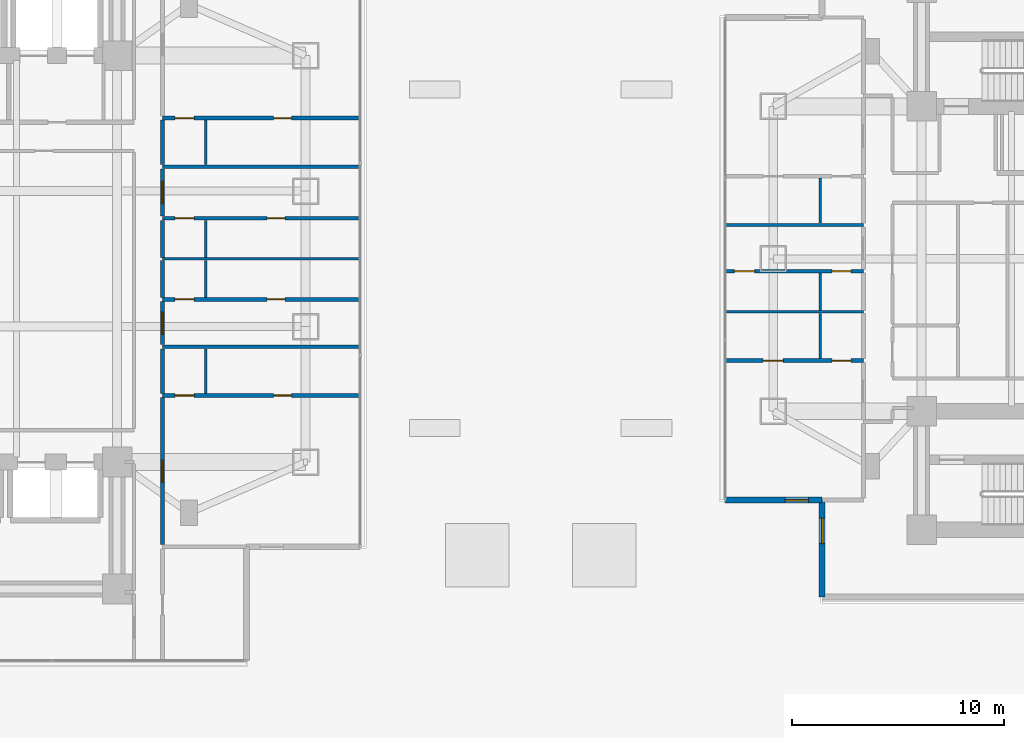
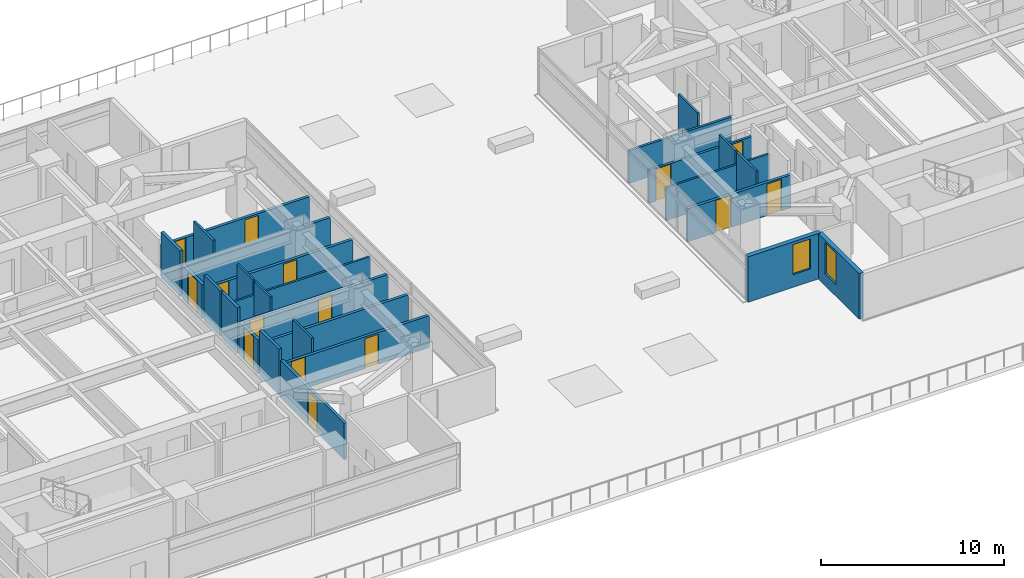
# One storey, part 14 of 26: 27 walls, 15 doors, 2 windows, 17 openings.
"""IFC4 building model written with IfcOpenShell, lengths in metres."""

from ifc_helpers import new_model, si_unit, direction, frame, frame_2d, origin, place, context, subcontext, project, spatial, rectangle, extrude, material, layer, layer_set, type_object, element, fill, save


model = new_model("IFC4")

# Units and contexts
model_context = context("Model", 3, precision=1e-05, world=origin(), true_north=direction((0.0, 1.0)))
body_context = subcontext(model_context, "Body", "Model", "MODEL_VIEW")
ifc_project = project(units=[si_unit("LENGTHUNIT", "METRE"), si_unit("AREAUNIT", "SQUARE_METRE"), si_unit("VOLUMEUNIT", "CUBIC_METRE"), si_unit("PLANEANGLEUNIT", "RADIAN"), si_unit("MASSUNIT", "GRAM", prefix="KILO")], contexts=[model_context])

# Site, building, storey
site_placement = place(None, origin())
site = spatial("IfcSite", under=ifc_project, at=site_placement, CompositionType="ELEMENT")
building_placement = place(site_placement, origin())
building = spatial("IfcBuilding", under=site, at=building_placement, Name="Mirazonda Arch Towers", CompositionType="ELEMENT")
storey_placement = place(building_placement, frame((0.0, 0.0, 22.39990234375)))
storey = spatial("IfcBuildingStorey", under=building, at=storey_placement, Name="L05", CompositionType="ELEMENT", Elevation=22.39990234375)

# Wall, opening, window
ifc_material_1 = material(Name="Precast Concrete C40/50", Category="concrete")
ifc_layer_1 = layer(ifc_material_1, 0.280029296875, Name="WALL-EXT-WALL-280")
ifc_layer_set_1 = layer_set([ifc_layer_1], Name="Precast Concrete C40/50")
wall_type_1 = type_object("IfcWallType", Name="WALL-EXT-WALL-280", PredefinedType="SOLIDWALL", material=ifc_layer_set_1)
wall_1_placement = place(storey_placement, frame((63.300048828125, 16.60009765625, 0.0), z_axis=(0.0, 0.0, 1.0), x_axis=(0.0, -1.0, 0.0)))
wall_1 = element("IfcWall", 1, at=wall_1_placement, inside=storey, type_object=wall_type_1, Name="L05 T2 Notched SW Corner Wall WL-L05-T2-CSW", PredefinedType="SOLIDWALL", context=body_context, shape_type="SweptSolid", body=[
    extrude(rectangle(XDim=4.580078125, YDim=0.280029296875, at=frame_2d((2.2900390625, 0.0))), origin(), (0.0, 0.0, 1.0), 3.0400390625),
])
opening_1_placement = place(wall_1_placement, frame((0.85009765625, 0.0, 0.7900390625)))
opening_1 = element("IfcOpeningElement", 2, at=opening_1_placement, cuts=wall_1, Name="Opening WN-122", PredefinedType="OPENING", context=body_context, shape_type="SweptSolid", body=[
    extrude(rectangle(XDim=1.199951171875, YDim=2.10009765625, at=frame_2d((0.60009765625, 1.050048828125))), frame((0.0, 0.14990234375, 0.0), z_axis=(0.0, -1.0, 0.0), x_axis=(1.0, 0.0, 0.0)), (0.0, 0.0, 1.0), 0.300048828125),
])
ifc_material_2 = material(Name="Insulated Low-E Solar Glass", Category="glass")
window_type_1 = type_object("IfcWindowType", Name="WIN-HTL-1200x2100", PartitioningType="SINGLE_PANEL", PredefinedType="WINDOW", material=ifc_material_2)
window_1_placement = place(opening_1_placement, origin())
window_1 = element("IfcWindow", 3, at=window_1_placement, inside=storey, type_object=window_type_1, Name="L05 Punched Facade Window WN-L05-T2-CSW", OverallHeight=2.10009765625, OverallWidth=1.199951171875, PartitioningType="SINGLE_PANEL", PredefinedType="WINDOW", context=body_context, shape_type="SweptSolid", body=[
    extrude(rectangle(XDim=1.199951171875, YDim=2.10009765625, at=frame_2d((0.60009765625, 1.050048828125))), frame((0.0, 0.030029296875, 0.0), z_axis=(0.0, -1.0, 0.0), x_axis=(1.0, 0.0, 0.0)), (0.0, 0.0, 1.0), 0.06005859375),
])
fill(opening_1, window_1)

wall_2_placement = place(storey_placement, frame((58.719970703125, 16.60009765625, 0.0), z_axis=(0.0, 0.0, 1.0), x_axis=(1.0, 0.0, 0.0)))
wall_2 = element("IfcWall", 4, at=wall_2_placement, inside=storey, type_object=wall_type_1, Name="L05 T2 Corner Notch Return Wall WL-L05-T2-CSW2", PredefinedType="SOLIDWALL", context=body_context, shape_type="SweptSolid", body=[
    extrude(rectangle(XDim=4.580078125, YDim=0.280029296875, at=frame_2d((2.2900390625, 0.0))), origin(), (0.0, 0.0, 1.0), 3.0400390625),
])
opening_2_placement = place(wall_2_placement, frame((2.830078125, 0.0, 0.85009765625)))
opening_2 = element("IfcOpeningElement", 5, at=opening_2_placement, cuts=wall_2, Name="Opening WN-108", PredefinedType="OPENING", context=body_context, shape_type="SweptSolid", body=[
    extrude(rectangle(XDim=1.10009765625, YDim=2.0, at=frame_2d((0.550048828125, 1.0))), frame((0.0, 0.14990234375, 0.0), z_axis=(0.0, -1.0, 0.0), x_axis=(1.0, 0.0, 0.0)), (0.0, 0.0, 1.0), 0.300048828125),
])
window_type_2 = type_object("IfcWindowType", Name="WIN-NOTCH-1100x2000", PartitioningType="SINGLE_PANEL", PredefinedType="WINDOW", material=ifc_material_2)
window_2_placement = place(opening_2_placement, origin())
window_2 = element("IfcWindow", 6, at=window_2_placement, inside=storey, type_object=window_type_2, Name="L05 Punched Facade Window WN-L05-T2-CSW2", OverallHeight=2.0, OverallWidth=1.10009765625, PartitioningType="SINGLE_PANEL", PredefinedType="WINDOW", context=body_context, shape_type="SweptSolid", body=[
    extrude(rectangle(XDim=1.10009765625, YDim=2.0, at=frame_2d((0.550048828125, 1.0))), frame((0.0, 0.030029296875, 0.0), z_axis=(0.0, -1.0, 0.0), x_axis=(1.0, 0.0, 0.0)), (0.0, 0.0, 1.0), 0.06005859375),
])
fill(opening_2, window_2)

# Wall, openings, doors
ifc_material_3 = material(Name="Fire-Rated Gypsum Stud Partition")
ifc_layer_2 = layer(ifc_material_3, 0.14990234375, Name="WALL-PART-CORR-150")
ifc_layer_set_2 = layer_set([ifc_layer_2], Name="Fire-Rated Gypsum Stud Partition")
wall_type_2 = type_object("IfcWallType", Name="WALL-PART-CORR-150", PredefinedType="PARTITIONING", material=ifc_layer_set_2)
wall_3_placement = place(storey_placement, frame((58.719970703125, 27.412109375, 0.0), z_axis=(0.0, 0.0, 1.0), x_axis=(1.0, 0.0, 0.0)))
wall_3 = element("IfcWall", 7, at=wall_3_placement, inside=storey, type_object=wall_type_2, Name="L05 Interior Partition 032", PredefinedType="PARTITIONING", context=body_context, shape_type="SweptSolid", body=[
    extrude(rectangle(XDim=6.530029296875, YDim=0.14990234375, at=frame_2d((3.26513671875, 0.0))), origin(), (0.0, 0.0, 1.0), 2.196044921875),
])
opening_3_placement = place(wall_3_placement, frame((0.43994140625, 0.0, 0.0)))
opening_3 = element("IfcOpeningElement", 8, at=opening_3_placement, cuts=wall_3, Name="Opening DR-104", PredefinedType="OPENING", context=body_context, shape_type="SweptSolid", body=[
    extrude(rectangle(XDim=0.949951171875, YDim=2.14990234375, at=frame_2d((0.47509765625, 1.074951171875))), frame((0.0, 0.0849609375, 0.0), z_axis=(0.0, -1.0, 0.0), x_axis=(1.0, 0.0, 0.0)), (0.0, 0.0, 1.0), 0.169921875),
])
opening_4_placement = place(wall_3_placement, frame((5.0400390625, 0.0, 0.0)))
opening_4 = element("IfcOpeningElement", 9, at=opening_4_placement, cuts=wall_3, Name="Opening DR-120", PredefinedType="OPENING", context=body_context, shape_type="SweptSolid", body=[
    extrude(rectangle(XDim=0.89990234375, YDim=2.10009765625, at=frame_2d((0.449951171875, 1.050048828125))), frame((0.0, 0.0849609375, 0.0), z_axis=(0.0, -1.0, 0.0), x_axis=(1.0, 0.0, 0.0)), (0.0, 0.0, 1.0), 0.169921875),
])
ifc_material_4 = material(Name="Architectural Brushed Steel S355", Category="steel")
door_type_1 = type_object("IfcDoorType", Name="DOOR-ROOM-950", OperationType="NOTDEFINED", PredefinedType="DOOR", material=ifc_material_4)
door_1_placement = place(opening_3_placement, origin())
door_1 = element("IfcDoor", 10, at=door_1_placement, inside=storey, type_object=door_type_1, Name="L05 Guestroom Study 2 Door", OperationType="SINGLE_SWING_RIGHT", OverallHeight=2.14990234375, OverallWidth=0.949951171875, PredefinedType="DOOR", context=body_context, shape_type="SweptSolid", body=[
    extrude(rectangle(XDim=0.949951171875, YDim=2.14990234375, at=frame_2d((0.47509765625, 1.074951171875))), frame((0.0, 0.02490234375, 0.0), z_axis=(0.0, -1.0, 0.0), x_axis=(1.0, 0.0, 0.0)), (0.0, 0.0, 1.0), 0.050048828125),
])
fill(opening_3, door_1)
door_type_2 = type_object("IfcDoorType", Name="DOOR-WC-900", OperationType="NOTDEFINED", PredefinedType="DOOR", material=ifc_material_4)
door_2_placement = place(opening_4_placement, origin())
door_2 = element("IfcDoor", 11, at=door_2_placement, inside=storey, type_object=door_type_2, Name="L05 En-Suite Bathroom 2 Door", OperationType="SINGLE_SWING_LEFT", OverallHeight=2.10009765625, OverallWidth=0.89990234375, PredefinedType="DOOR", context=body_context, shape_type="SweptSolid", body=[
    extrude(rectangle(XDim=0.89990234375, YDim=2.10009765625, at=frame_2d((0.449951171875, 1.050048828125))), frame((0.0, 0.02490234375, 0.0), z_axis=(0.0, -1.0, 0.0), x_axis=(1.0, 0.0, 0.0)), (0.0, 0.0, 1.0), 0.050048828125),
])
fill(opening_4, door_2)

# Wall
wall_4_placement = place(storey_placement, frame((58.719970703125, 29.595947265625, 0.0), z_axis=(0.0, 0.0, 1.0), x_axis=(1.0, 0.0, 0.0)))
element("IfcWall", 12, at=wall_4_placement, inside=storey, type_object=wall_type_2, Name="L05 Interior Partition 036", PredefinedType="PARTITIONING", context=body_context, shape_type="SweptSolid", body=[
    extrude(rectangle(XDim=6.530029296875, YDim=0.14990234375, at=frame_2d((3.26513671875, 0.0))), origin(), (0.0, 0.0, 1.0), 2.196044921875),
])

# Wall, openings, doors
ifc_material_5 = material(Name="Fire-Rated Gypsum Twin-Stud Assembly")
ifc_layer_3 = layer(ifc_material_5, 0.179931640625, Name="WALL-PART-DEMISE-180")
ifc_layer_set_3 = layer_set([ifc_layer_3], Name="Fire-Rated Gypsum Twin-Stud Assembly")
wall_type_3 = type_object("IfcWallType", Name="WALL-PART-DEMISE-180", PredefinedType="PARTITIONING", material=ifc_layer_set_3)
wall_5_placement = place(storey_placement, frame((32.139892578125, 21.5419921875, 0.0), z_axis=(0.0, 0.0, 1.0), x_axis=(1.0, 0.0, 0.0)))
wall_5 = element("IfcWall", 13, at=wall_5_placement, inside=storey, type_object=wall_type_3, Name="L05 Interior Partition 021", PredefinedType="PARTITIONING", context=body_context, shape_type="SweptSolid", body=[
    extrude(rectangle(XDim=9.340087890625, YDim=0.179931640625, at=frame_2d((4.669921875, 0.0))), origin(), (0.0, 0.0, 1.0), 2.125),
])
opening_5_placement = place(wall_5_placement, frame((5.2451171875, 0.0, 0.0)))
opening_5 = element("IfcOpeningElement", 14, at=opening_5_placement, cuts=wall_5, Name="Opening DR-128", PredefinedType="OPENING", context=body_context, shape_type="SweptSolid", body=[
    extrude(rectangle(XDim=0.85009765625, YDim=2.010009765625, at=frame_2d((0.425048828125, 1.0048828125))), frame((0.0, 0.099853515625, 0.0), z_axis=(0.0, -1.0, 0.0), x_axis=(1.0, 0.0, 0.0)), (0.0, 0.0, 1.0), 0.199951171875),
])
opening_6_placement = place(wall_5_placement, frame((0.590087890625, 0.0, 0.0)))
opening_6 = element("IfcOpeningElement", 15, at=opening_6_placement, cuts=wall_5, Name="Opening DR-120", PredefinedType="OPENING", context=body_context, shape_type="SweptSolid", body=[
    extrude(rectangle(XDim=0.89990234375, YDim=2.10009765625, at=frame_2d((0.449951171875, 1.050048828125))), frame((0.0, 0.099853515625, 0.0), z_axis=(0.0, -1.0, 0.0), x_axis=(1.0, 0.0, 0.0)), (0.0, 0.0, 1.0), 0.199951171875),
])
door_type_3 = type_object("IfcDoorType", Name="DOOR-RISER-FD60-850", OperationType="NOTDEFINED", PredefinedType="DOOR", material=ifc_material_4)
door_3_placement = place(opening_5_placement, origin())
door_3 = element("IfcDoor", 16, at=door_3_placement, inside=storey, type_object=door_type_3, Name="L05 Suite Bedroom 1 Door", OperationType="SINGLE_SWING_LEFT", OverallHeight=2.010009765625, OverallWidth=0.85009765625, PredefinedType="DOOR", context=body_context, shape_type="SweptSolid", body=[
    extrude(rectangle(XDim=0.85009765625, YDim=2.010009765625, at=frame_2d((0.425048828125, 1.0048828125))), frame((0.0, 0.02490234375, 0.0), z_axis=(0.0, -1.0, 0.0), x_axis=(1.0, 0.0, 0.0)), (0.0, 0.0, 1.0), 0.050048828125),
])
fill(opening_5, door_3)
door_4_placement = place(opening_6_placement, origin())
door_4 = element("IfcDoor", 17, at=door_4_placement, inside=storey, type_object=door_type_2, Name="L05 Suite En-Suite Bathroom 1 Door", OperationType="SINGLE_SWING_RIGHT", OverallHeight=2.10009765625, OverallWidth=0.89990234375, PredefinedType="DOOR", context=body_context, shape_type="SweptSolid", body=[
    extrude(rectangle(XDim=0.89990234375, YDim=2.10009765625, at=frame_2d((0.449951171875, 1.050048828125))), frame((0.0, 0.02490234375, 0.0), z_axis=(0.0, -1.0, 0.0), x_axis=(1.0, 0.0, 0.0)), (0.0, 0.0, 1.0), 0.050048828125),
])
fill(opening_6, door_4)

wall_6_placement = place(storey_placement, frame((58.719970703125, 23.19189453125, 0.0), z_axis=(0.0, 0.0, 1.0), x_axis=(1.0, 0.0, 0.0)))
wall_6 = element("IfcWall", 18, at=wall_6_placement, inside=storey, type_object=wall_type_3, Name="L05 Interior Partition 025", PredefinedType="PARTITIONING", context=body_context, shape_type="SweptSolid", body=[
    extrude(rectangle(XDim=6.530029296875, YDim=0.179931640625, at=frame_2d((3.26513671875, 0.0))), origin(), (0.0, 0.0, 1.0), 2.196044921875),
])
opening_7_placement = place(wall_6_placement, frame((1.7900390625, 0.0, 0.0)))
opening_7 = element("IfcOpeningElement", 19, at=opening_7_placement, cuts=wall_6, Name="Opening DR-104", PredefinedType="OPENING", context=body_context, shape_type="SweptSolid", body=[
    extrude(rectangle(XDim=0.949951171875, YDim=2.14990234375, at=frame_2d((0.47509765625, 1.074951171875))), frame((0.0, 0.099853515625, 0.0), z_axis=(0.0, -1.0, 0.0), x_axis=(1.0, 0.0, 0.0)), (0.0, 0.0, 1.0), 0.199951171875),
])
opening_8_placement = place(wall_6_placement, frame((5.0400390625, 0.0, 0.0)))
opening_8 = element("IfcOpeningElement", 20, at=opening_8_placement, cuts=wall_6, Name="Opening DR-120", PredefinedType="OPENING", context=body_context, shape_type="SweptSolid", body=[
    extrude(rectangle(XDim=0.89990234375, YDim=2.10009765625, at=frame_2d((0.449951171875, 1.050048828125))), frame((0.0, 0.099853515625, 0.0), z_axis=(0.0, -1.0, 0.0), x_axis=(1.0, 0.0, 0.0)), (0.0, 0.0, 1.0), 0.199951171875),
])
door_5_placement = place(opening_7_placement, origin())
door_5 = element("IfcDoor", 21, at=door_5_placement, inside=storey, type_object=door_type_1, Name="L05 Guestroom Study 1 Door", OperationType="SINGLE_SWING_LEFT", OverallHeight=2.14990234375, OverallWidth=0.949951171875, PredefinedType="DOOR", context=body_context, shape_type="SweptSolid", body=[
    extrude(rectangle(XDim=0.949951171875, YDim=2.14990234375, at=frame_2d((0.47509765625, 1.074951171875))), frame((0.0, 0.02490234375, 0.0), z_axis=(0.0, -1.0, 0.0), x_axis=(1.0, 0.0, 0.0)), (0.0, 0.0, 1.0), 0.050048828125),
])
fill(opening_7, door_5)
door_6_placement = place(opening_8_placement, origin())
door_6 = element("IfcDoor", 22, at=door_6_placement, inside=storey, type_object=door_type_2, Name="L05 En-Suite Bathroom 1 Door", OperationType="SINGLE_SWING_RIGHT", OverallHeight=2.10009765625, OverallWidth=0.89990234375, PredefinedType="DOOR", context=body_context, shape_type="SweptSolid", body=[
    extrude(rectangle(XDim=0.89990234375, YDim=2.10009765625, at=frame_2d((0.449951171875, 1.050048828125))), frame((0.0, 0.02490234375, 0.0), z_axis=(0.0, -1.0, 0.0), x_axis=(1.0, 0.0, 0.0)), (0.0, 0.0, 1.0), 0.050048828125),
])
fill(opening_8, door_6)

# Wall
wall_7_placement = place(storey_placement, frame((32.139892578125, 23.842041015625, 0.0), z_axis=(0.0, 0.0, 1.0), x_axis=(1.0, 0.0, 0.0)))
element("IfcWall", 23, at=wall_7_placement, inside=storey, type_object=wall_type_3, Name="L05 Interior Partition 026", PredefinedType="PARTITIONING", context=body_context, shape_type="SweptSolid", body=[
    extrude(rectangle(XDim=9.340087890625, YDim=0.179931640625, at=frame_2d((4.669921875, 0.0))), origin(), (0.0, 0.0, 1.0), 2.125),
])

# Wall, openings, doors
wall_8_placement = place(storey_placement, frame((32.139892578125, 26.080078125, 0.0), z_axis=(0.0, 0.0, 1.0), x_axis=(1.0, 0.0, 0.0)))
wall_8 = element("IfcWall", 24, at=wall_8_placement, inside=storey, type_object=wall_type_3, Name="L05 Interior Partition 030", PredefinedType="PARTITIONING", context=body_context, shape_type="SweptSolid", body=[
    extrude(rectangle(XDim=9.340087890625, YDim=0.179931640625, at=frame_2d((4.669921875, 0.0))), origin(), (0.0, 0.0, 1.0), 2.125),
])
opening_9_placement = place(wall_8_placement, frame((4.945068359375, 0.0, 0.0)))
opening_9 = element("IfcOpeningElement", 25, at=opening_9_placement, cuts=wall_8, Name="Opening DR-128", PredefinedType="OPENING", context=body_context, shape_type="SweptSolid", body=[
    extrude(rectangle(XDim=0.85009765625, YDim=2.010009765625, at=frame_2d((0.425048828125, 1.0048828125))), frame((0.0, 0.099853515625, 0.0), z_axis=(0.0, -1.0, 0.0), x_axis=(1.0, 0.0, 0.0)), (0.0, 0.0, 1.0), 0.199951171875),
])
opening_10_placement = place(wall_8_placement, frame((0.590087890625, 0.0, 0.0)))
opening_10 = element("IfcOpeningElement", 26, at=opening_10_placement, cuts=wall_8, Name="Opening DR-120", PredefinedType="OPENING", context=body_context, shape_type="SweptSolid", body=[
    extrude(rectangle(XDim=0.89990234375, YDim=2.10009765625, at=frame_2d((0.449951171875, 1.050048828125))), frame((0.0, 0.099853515625, 0.0), z_axis=(0.0, -1.0, 0.0), x_axis=(1.0, 0.0, 0.0)), (0.0, 0.0, 1.0), 0.199951171875),
])
door_7_placement = place(opening_9_placement, origin())
door_7 = element("IfcDoor", 27, at=door_7_placement, inside=storey, type_object=door_type_3, Name="L05 Guestroom Study 2 Door", OperationType="SINGLE_SWING_RIGHT", OverallHeight=2.010009765625, OverallWidth=0.85009765625, PredefinedType="DOOR", context=body_context, shape_type="SweptSolid", body=[
    extrude(rectangle(XDim=0.85009765625, YDim=2.010009765625, at=frame_2d((0.425048828125, 1.0048828125))), frame((0.0, 0.02490234375, 0.0), z_axis=(0.0, -1.0, 0.0), x_axis=(1.0, 0.0, 0.0)), (0.0, 0.0, 1.0), 0.050048828125),
])
fill(opening_9, door_7)
door_8_placement = place(opening_10_placement, origin())
door_8 = element("IfcDoor", 28, at=door_8_placement, inside=storey, type_object=door_type_2, Name="L05 En-Suite Bathroom 2 Door", OperationType="SINGLE_SWING_LEFT", OverallHeight=2.10009765625, OverallWidth=0.89990234375, PredefinedType="DOOR", context=body_context, shape_type="SweptSolid", body=[
    extrude(rectangle(XDim=0.89990234375, YDim=2.10009765625, at=frame_2d((0.449951171875, 1.050048828125))), frame((0.0, 0.02490234375, 0.0), z_axis=(0.0, -1.0, 0.0), x_axis=(1.0, 0.0, 0.0)), (0.0, 0.0, 1.0), 0.050048828125),
])
fill(opening_10, door_8)

wall_9_placement = place(storey_placement, frame((32.139892578125, 29.919921875, 0.0), z_axis=(0.0, 0.0, 1.0), x_axis=(1.0, 0.0, 0.0)))
wall_9 = element("IfcWall", 29, at=wall_9_placement, inside=storey, type_object=wall_type_3, Name="L05 Interior Partition 037", PredefinedType="PARTITIONING", context=body_context, shape_type="SweptSolid", body=[
    extrude(rectangle(XDim=9.340087890625, YDim=0.179931640625, at=frame_2d((4.669921875, 0.0))), origin(), (0.0, 0.0, 1.0), 2.125),
])
opening_11_placement = place(wall_9_placement, frame((4.945068359375, 0.0, 0.0)))
opening_11 = element("IfcOpeningElement", 30, at=opening_11_placement, cuts=wall_9, Name="Opening DR-128", PredefinedType="OPENING", context=body_context, shape_type="SweptSolid", body=[
    extrude(rectangle(XDim=0.85009765625, YDim=2.010009765625, at=frame_2d((0.425048828125, 1.0048828125))), frame((0.0, 0.099853515625, 0.0), z_axis=(0.0, -1.0, 0.0), x_axis=(1.0, 0.0, 0.0)), (0.0, 0.0, 1.0), 0.199951171875),
])
opening_12_placement = place(wall_9_placement, frame((0.590087890625, 0.0, 0.0)))
opening_12 = element("IfcOpeningElement", 31, at=opening_12_placement, cuts=wall_9, Name="Opening DR-120", PredefinedType="OPENING", context=body_context, shape_type="SweptSolid", body=[
    extrude(rectangle(XDim=0.89990234375, YDim=2.10009765625, at=frame_2d((0.449951171875, 1.050048828125))), frame((0.0, 0.099853515625, 0.0), z_axis=(0.0, -1.0, 0.0), x_axis=(1.0, 0.0, 0.0)), (0.0, 0.0, 1.0), 0.199951171875),
])
door_9_placement = place(opening_11_placement, origin())
door_9 = element("IfcDoor", 32, at=door_9_placement, inside=storey, type_object=door_type_3, Name="L05 Guestroom Study 3 Door", OperationType="SINGLE_SWING_LEFT", OverallHeight=2.010009765625, OverallWidth=0.85009765625, PredefinedType="DOOR", context=body_context, shape_type="SweptSolid", body=[
    extrude(rectangle(XDim=0.85009765625, YDim=2.010009765625, at=frame_2d((0.425048828125, 1.0048828125))), frame((0.0, 0.02490234375, 0.0), z_axis=(0.0, -1.0, 0.0), x_axis=(1.0, 0.0, 0.0)), (0.0, 0.0, 1.0), 0.050048828125),
])
fill(opening_11, door_9)
door_10_placement = place(opening_12_placement, origin())
door_10 = element("IfcDoor", 33, at=door_10_placement, inside=storey, type_object=door_type_2, Name="L05 En-Suite Bathroom 3 Door", OperationType="SINGLE_SWING_RIGHT", OverallHeight=2.10009765625, OverallWidth=0.89990234375, PredefinedType="DOOR", context=body_context, shape_type="SweptSolid", body=[
    extrude(rectangle(XDim=0.89990234375, YDim=2.10009765625, at=frame_2d((0.449951171875, 1.050048828125))), frame((0.0, 0.02490234375, 0.0), z_axis=(0.0, -1.0, 0.0), x_axis=(1.0, 0.0, 0.0)), (0.0, 0.0, 1.0), 0.050048828125),
])
fill(opening_12, door_10)

# Wall
wall_10_placement = place(storey_placement, frame((32.139892578125, 32.346923828125, 0.0), z_axis=(0.0, 0.0, 1.0), x_axis=(1.0, 0.0, 0.0)))
element("IfcWall", 34, at=wall_10_placement, inside=storey, type_object=wall_type_3, Name="L05 Interior Partition 043", PredefinedType="PARTITIONING", context=body_context, shape_type="SweptSolid", body=[
    extrude(rectangle(XDim=9.340087890625, YDim=0.179931640625, at=frame_2d((4.669921875, 0.0))), origin(), (0.0, 0.0, 1.0), 2.125),
])

# Wall, openings, doors
wall_11_placement = place(storey_placement, frame((32.139892578125, 34.64697265625, 0.0), z_axis=(0.0, 0.0, 1.0), x_axis=(1.0, 0.0, 0.0)))
wall_11 = element("IfcWall", 35, at=wall_11_placement, inside=storey, type_object=wall_type_3, Name="L05 Interior Partition 048", PredefinedType="PARTITIONING", context=body_context, shape_type="SweptSolid", body=[
    extrude(rectangle(XDim=9.340087890625, YDim=0.179931640625, at=frame_2d((4.669921875, 0.0))), origin(), (0.0, 0.0, 1.0), 2.125),
])
opening_13_placement = place(wall_11_placement, frame((5.2451171875, 0.0, 0.0)))
opening_13 = element("IfcOpeningElement", 36, at=opening_13_placement, cuts=wall_11, Name="Opening DR-128", PredefinedType="OPENING", context=body_context, shape_type="SweptSolid", body=[
    extrude(rectangle(XDim=0.85009765625, YDim=2.010009765625, at=frame_2d((0.425048828125, 1.0048828125))), frame((0.0, 0.099853515625, 0.0), z_axis=(0.0, -1.0, 0.0), x_axis=(1.0, 0.0, 0.0)), (0.0, 0.0, 1.0), 0.199951171875),
])
opening_14_placement = place(wall_11_placement, frame((0.590087890625, 0.0, 0.0)))
opening_14 = element("IfcOpeningElement", 37, at=opening_14_placement, cuts=wall_11, Name="Opening DR-120", PredefinedType="OPENING", context=body_context, shape_type="SweptSolid", body=[
    extrude(rectangle(XDim=0.89990234375, YDim=2.10009765625, at=frame_2d((0.449951171875, 1.050048828125))), frame((0.0, 0.099853515625, 0.0), z_axis=(0.0, -1.0, 0.0), x_axis=(1.0, 0.0, 0.0)), (0.0, 0.0, 1.0), 0.199951171875),
])
door_11_placement = place(opening_13_placement, origin())
door_11 = element("IfcDoor", 38, at=door_11_placement, inside=storey, type_object=door_type_3, Name="L05 Suite Bedroom 4 Door", OperationType="SINGLE_SWING_RIGHT", OverallHeight=2.010009765625, OverallWidth=0.85009765625, PredefinedType="DOOR", context=body_context, shape_type="SweptSolid", body=[
    extrude(rectangle(XDim=0.85009765625, YDim=2.010009765625, at=frame_2d((0.425048828125, 1.0048828125))), frame((0.0, 0.02490234375, 0.0), z_axis=(0.0, -1.0, 0.0), x_axis=(1.0, 0.0, 0.0)), (0.0, 0.0, 1.0), 0.050048828125),
])
fill(opening_13, door_11)
door_12_placement = place(opening_14_placement, origin())
door_12 = element("IfcDoor", 39, at=door_12_placement, inside=storey, type_object=door_type_2, Name="L05 Suite En-Suite Bathroom 4 Door", OperationType="SINGLE_SWING_LEFT", OverallHeight=2.10009765625, OverallWidth=0.89990234375, PredefinedType="DOOR", context=body_context, shape_type="SweptSolid", body=[
    extrude(rectangle(XDim=0.89990234375, YDim=2.10009765625, at=frame_2d((0.449951171875, 1.050048828125))), frame((0.0, 0.02490234375, 0.0), z_axis=(0.0, -1.0, 0.0), x_axis=(1.0, 0.0, 0.0)), (0.0, 0.0, 1.0), 0.050048828125),
])
fill(opening_14, door_12)

# Wall, opening, door
wall_12_placement = place(storey_placement, frame((32.139892578125, 14.5, 0.0), z_axis=(0.0, 0.0, 1.0), x_axis=(0.0, 1.0, 0.0)))
wall_12 = element("IfcWall", 40, at=wall_12_placement, inside=storey, type_object=wall_type_3, Name="L05 Interior Partition 106", PredefinedType="PARTITIONING", context=body_context, shape_type="SweptSolid", body=[
    extrude(rectangle(XDim=6.94189453125, YDim=0.179931640625, at=frame_2d((3.470947265625, 0.0))), origin(), (0.0, 0.0, 1.0), 2.43603515625),
])
opening_15_placement = place(wall_12_placement, frame((2.946044921875, 0.0, 0.0)))
opening_15 = element("IfcOpeningElement", 41, at=opening_15_placement, cuts=wall_12, Name="Opening DR-121", PredefinedType="OPENING", context=body_context, shape_type="SweptSolid", body=[
    extrude(rectangle(XDim=1.050048828125, YDim=2.199951171875, at=frame_2d((0.52490234375, 1.10009765625))), frame((0.0, 0.099853515625, 0.0), z_axis=(0.0, -1.0, 0.0), x_axis=(1.0, 0.0, 0.0)), (0.0, 0.0, 1.0), 0.199951171875),
])
door_type_4 = type_object("IfcDoorType", Name="DOOR-SUITE-FD60-1050", OperationType="NOTDEFINED", PredefinedType="DOOR", material=ifc_material_4)
door_13_placement = place(opening_15_placement, origin())
door_13 = element("IfcDoor", 42, at=door_13_placement, inside=storey, type_object=door_type_4, Name="L05 Panoramic Suite Salon 1 Door", OperationType="SINGLE_SWING_RIGHT", OverallHeight=2.199951171875, OverallWidth=1.050048828125, PredefinedType="DOOR", context=body_context, shape_type="SweptSolid", body=[
    extrude(rectangle(XDim=1.050048828125, YDim=2.199951171875, at=frame_2d((0.52490234375, 1.10009765625))), frame((0.0, 0.02490234375, 0.0), z_axis=(0.0, -1.0, 0.0), x_axis=(1.0, 0.0, 0.0)), (0.0, 0.0, 1.0), 0.050048828125),
])
fill(opening_15, door_13)

# Wall
wall_13_placement = place(storey_placement, frame((32.139892578125, 21.64208984375, 0.0), z_axis=(0.0, 0.0, 1.0), x_axis=(0.0, 1.0, 0.0)))
element("IfcWall", 43, at=wall_13_placement, inside=storey, type_object=wall_type_3, Name="L05 Interior Partition 107", PredefinedType="PARTITIONING", context=body_context, shape_type="SweptSolid", body=[
    extrude(rectangle(XDim=2.099853515625, YDim=0.179931640625, at=frame_2d((1.0498046875, 0.0))), origin(), (0.0, 0.0, 1.0), 3.06005859375),
])

# Wall, opening, door
wall_14_placement = place(storey_placement, frame((32.139892578125, 23.94189453125, 0.0), z_axis=(0.0, 0.0, 1.0), x_axis=(0.0, 1.0, 0.0)))
wall_14 = element("IfcWall", 44, at=wall_14_placement, inside=storey, type_object=wall_type_3, Name="L05 Interior Partition 108", PredefinedType="PARTITIONING", context=body_context, shape_type="SweptSolid", body=[
    extrude(rectangle(XDim=2.0380859375, YDim=0.179931640625, at=frame_2d((1.01904296875, 0.0))), origin(), (0.0, 0.0, 1.0), 2.279052734375),
])
opening_16_placement = place(wall_14_placement, frame((0.493896484375, 0.0, 0.0)))
opening_16 = element("IfcOpeningElement", 45, at=opening_16_placement, cuts=wall_14, Name="Opening DR-121", PredefinedType="OPENING", context=body_context, shape_type="SweptSolid", body=[
    extrude(rectangle(XDim=1.050048828125, YDim=2.199951171875, at=frame_2d((0.52490234375, 1.10009765625))), frame((0.0, 0.099853515625, 0.0), z_axis=(0.0, -1.0, 0.0), x_axis=(1.0, 0.0, 0.0)), (0.0, 0.0, 1.0), 0.199951171875),
])
door_14_placement = place(opening_16_placement, origin())
door_14 = element("IfcDoor", 46, at=door_14_placement, inside=storey, type_object=door_type_4, Name="L05 Twin Hotel Guestroom 2 Door", OperationType="SINGLE_SWING_LEFT", OverallHeight=2.199951171875, OverallWidth=1.050048828125, PredefinedType="DOOR", context=body_context, shape_type="SweptSolid", body=[
    extrude(rectangle(XDim=1.050048828125, YDim=2.199951171875, at=frame_2d((0.52490234375, 1.10009765625))), frame((0.0, 0.02490234375, 0.0), z_axis=(0.0, -1.0, 0.0), x_axis=(1.0, 0.0, 0.0)), (0.0, 0.0, 1.0), 0.050048828125),
])
fill(opening_16, door_14)

# Walls
for number, where, z_axis, x_axis, name in (
    (47, (32.139892578125, 26.179931640625, 0.0), (0.0, 0.0, 1.0), (0.0, 1.0, 0.0), "L05 Interior Partition 109"),
    (48, (32.139892578125, 28.072509765625, 0.0), (0.0, 0.0, 1.0), (0.0, 1.0, 0.0), "L05 Interior Partition 110"),
):
    element("IfcWall", number, at=place(storey_placement, frame(where, z_axis=z_axis, x_axis=x_axis)), inside=storey, type_object=wall_type_3, Name=name, PredefinedType="PARTITIONING", context=body_context, shape_type="SweptSolid", body=[
        extrude(rectangle(XDim=1.74755859375, YDim=0.179931640625, at=frame_2d((0.873779296875, 0.0))), origin(), (0.0, 0.0, 1.0), 3.06005859375),
    ])

# Wall, opening, door
wall_15_placement = place(storey_placement, frame((32.139892578125, 30.02001953125, 0.0), z_axis=(0.0, 0.0, 1.0), x_axis=(0.0, 1.0, 0.0)))
wall_15 = element("IfcWall", 49, at=wall_15_placement, inside=storey, type_object=wall_type_3, Name="L05 Interior Partition 111", PredefinedType="PARTITIONING", context=body_context, shape_type="SweptSolid", body=[
    extrude(rectangle(XDim=2.22705078125, YDim=0.179931640625, at=frame_2d((1.113525390625, 0.0))), origin(), (0.0, 0.0, 1.0), 2.279052734375),
])
opening_17_placement = place(wall_15_placement, frame((0.58837890625, 0.0, 0.0)))
opening_17 = element("IfcOpeningElement", 50, at=opening_17_placement, cuts=wall_15, Name="Opening DR-121", PredefinedType="OPENING", context=body_context, shape_type="SweptSolid", body=[
    extrude(rectangle(XDim=1.050048828125, YDim=2.199951171875, at=frame_2d((0.52490234375, 1.10009765625))), frame((0.0, 0.099853515625, 0.0), z_axis=(0.0, -1.0, 0.0), x_axis=(1.0, 0.0, 0.0)), (0.0, 0.0, 1.0), 0.199951171875),
])
door_15_placement = place(opening_17_placement, origin())
door_15 = element("IfcDoor", 51, at=door_15_placement, inside=storey, type_object=door_type_4, Name="L05 King Hotel Guestroom 3 Door", OperationType="SINGLE_SWING_RIGHT", OverallHeight=2.199951171875, OverallWidth=1.050048828125, PredefinedType="DOOR", context=body_context, shape_type="SweptSolid", body=[
    extrude(rectangle(XDim=1.050048828125, YDim=2.199951171875, at=frame_2d((0.52490234375, 1.10009765625))), frame((0.0, 0.02490234375, 0.0), z_axis=(0.0, -1.0, 0.0), x_axis=(1.0, 0.0, 0.0)), (0.0, 0.0, 1.0), 0.050048828125),
])
fill(opening_17, door_15)

# Walls
wall_16_placement = place(storey_placement, frame((32.139892578125, 32.447021484375, 0.0), z_axis=(0.0, 0.0, 1.0), x_axis=(0.0, 1.0, 0.0)))
element("IfcWall", 52, at=wall_16_placement, inside=storey, type_object=wall_type_3, Name="L05 Interior Partition 112", PredefinedType="PARTITIONING", context=body_context, shape_type="SweptSolid", body=[
    extrude(rectangle(XDim=2.10009765625, YDim=0.179931640625, at=frame_2d((1.050048828125, 0.0))), origin(), (0.0, 0.0, 1.0), 3.06005859375),
])
ifc_material_6 = material(Name="Acoustic Fire-Rated Gypsum Partition")
ifc_layer_4 = layer(ifc_material_6, 0.125, Name="WALL-PART-UNIT-125")
ifc_layer_set_4 = layer_set([ifc_layer_4], Name="Acoustic Fire-Rated Gypsum Partition")
wall_type_4 = type_object("IfcWallType", Name="WALL-PART-UNIT-125", PredefinedType="PARTITIONING", material=ifc_layer_set_4)
wall_17_placement = place(storey_placement, frame((58.719970703125, 25.491943359375, 0.0), z_axis=(0.0, 0.0, 1.0), x_axis=(1.0, 0.0, 0.0)))
element("IfcWall", 53, at=wall_17_placement, inside=storey, type_object=wall_type_4, Name="L05 Interior Partition 029", PredefinedType="PARTITIONING", context=body_context, shape_type="SweptSolid", body=[
    extrude(rectangle(XDim=6.530029296875, YDim=0.125, at=frame_2d((3.26513671875, 0.0))), origin(), (0.0, 0.0, 1.0), 2.196044921875),
])
wall_18_placement = place(storey_placement, frame((32.139892578125, 28.0, 0.0), z_axis=(0.0, 0.0, 1.0), x_axis=(1.0, 0.0, 0.0)))
element("IfcWall", 54, at=wall_18_placement, inside=storey, type_object=wall_type_4, Name="L05 Interior Partition 034", PredefinedType="PARTITIONING", context=body_context, shape_type="SweptSolid", body=[
    extrude(rectangle(XDim=9.340087890625, YDim=0.125, at=frame_2d((4.669921875, 0.0))), origin(), (0.0, 0.0, 1.0), 2.125),
])
wall_19_placement = place(storey_placement, frame((34.179931640625, 21.64208984375, 0.0), z_axis=(0.0, 0.0, 1.0), x_axis=(0.0, 1.0, 0.0)))
element("IfcWall", 55, at=wall_19_placement, inside=storey, type_object=wall_type_4, Name="L05 Interior Partition 115", PredefinedType="PARTITIONING", context=body_context, shape_type="SweptSolid", body=[
    extrude(rectangle(XDim=2.099853515625, YDim=0.125, at=frame_2d((1.0498046875, 0.0))), origin(), (0.0, 0.0, 1.0), 3.06005859375),
])
for number, where, z_axis, x_axis, name in (
    (56, (34.179931640625, 26.179931640625, 0.0), (0.0, 0.0, 1.0), (0.0, 1.0, 0.0), "L05 Interior Partition 116"),
    (57, (34.179931640625, 28.072509765625, 0.0), (0.0, 0.0, 1.0), (0.0, 1.0, 0.0), "L05 Interior Partition 117"),
):
    element("IfcWall", number, at=place(storey_placement, frame(where, z_axis=z_axis, x_axis=x_axis)), inside=storey, type_object=wall_type_4, Name=name, PredefinedType="PARTITIONING", context=body_context, shape_type="SweptSolid", body=[
        extrude(rectangle(XDim=1.74755859375, YDim=0.125, at=frame_2d((0.873779296875, 0.0))), origin(), (0.0, 0.0, 1.0), 3.06005859375),
    ])
wall_20_placement = place(storey_placement, frame((34.179931640625, 32.447021484375, 0.0), z_axis=(0.0, 0.0, 1.0), x_axis=(0.0, 1.0, 0.0)))
element("IfcWall", 58, at=wall_20_placement, inside=storey, type_object=wall_type_4, Name="L05 Interior Partition 118", PredefinedType="PARTITIONING", context=body_context, shape_type="SweptSolid", body=[
    extrude(rectangle(XDim=2.10009765625, YDim=0.125, at=frame_2d((1.050048828125, 0.0))), origin(), (0.0, 0.0, 1.0), 3.06005859375),
])
wall_21_placement = place(storey_placement, frame((63.2099609375, 23.2919921875, 0.0), z_axis=(0.0, 0.0, 1.0), x_axis=(0.0, 1.0, 0.0)))
element("IfcWall", 59, at=wall_21_placement, inside=storey, type_object=wall_type_4, Name="L05 Interior Partition 119", PredefinedType="PARTITIONING", context=body_context, shape_type="SweptSolid", body=[
    extrude(rectangle(XDim=2.12744140625, YDim=0.125, at=frame_2d((1.063720703125, 0.0))), origin(), (0.0, 0.0, 1.0), 3.06005859375),
])
wall_22_placement = place(storey_placement, frame((63.2099609375, 25.564453125, 0.0), z_axis=(0.0, 0.0, 1.0), x_axis=(0.0, 1.0, 0.0)))
element("IfcWall", 60, at=wall_22_placement, inside=storey, type_object=wall_type_4, Name="L05 Interior Partition 120", PredefinedType="PARTITIONING", context=body_context, shape_type="SweptSolid", body=[
    extrude(rectangle(XDim=1.762451171875, YDim=0.125, at=frame_2d((0.88134765625, 0.0))), origin(), (0.0, 0.0, 1.0), 3.06005859375),
])
wall_23_placement = place(storey_placement, frame((63.2099609375, 29.680908203125, 0.0), z_axis=(0.0, 0.0, 1.0), x_axis=(0.0, 1.0, 0.0)))
element("IfcWall", 61, at=wall_23_placement, inside=storey, type_object=wall_type_4, Name="L05 Interior Partition 121", PredefinedType="PARTITIONING", context=body_context, shape_type="SweptSolid", body=[
    extrude(rectangle(XDim=2.130126953125, YDim=0.125, at=frame_2d((1.06494140625, 0.0))), origin(), (0.0, 0.0, 1.0), 3.06005859375),
])

save(model, "model.ifc")
